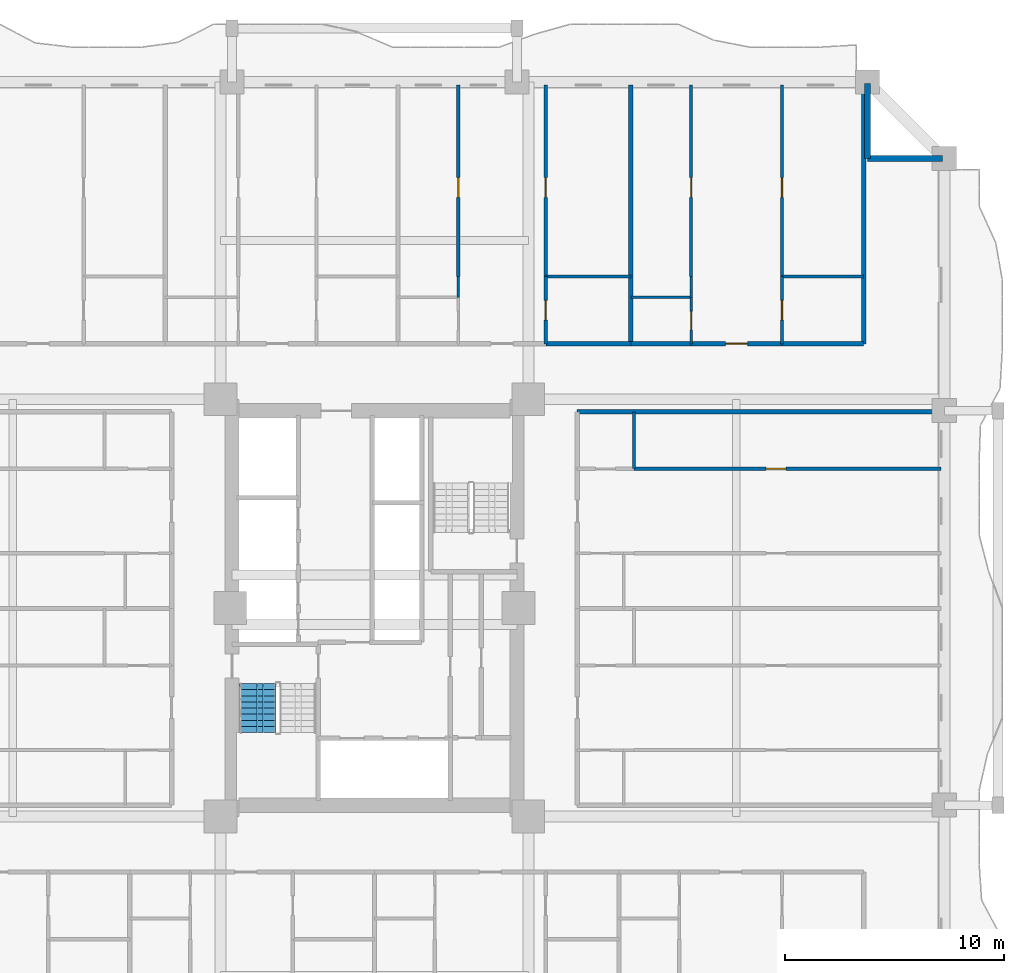
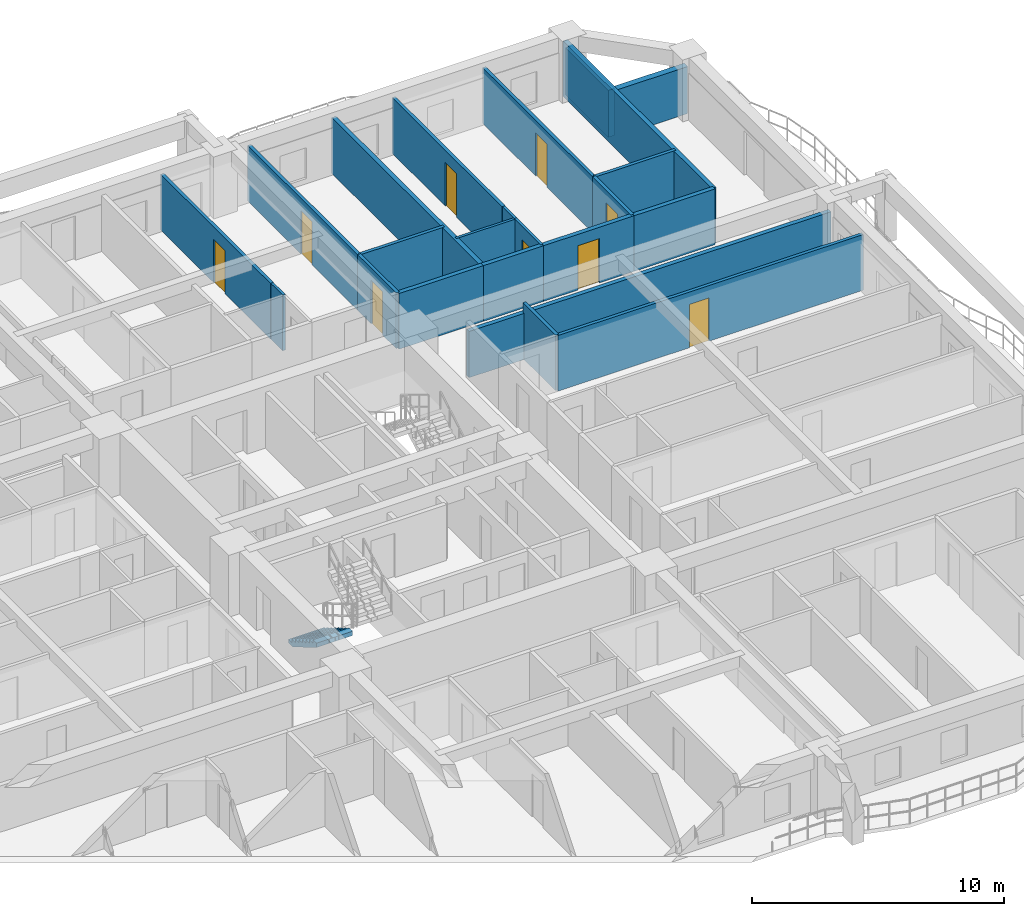
# One storey, part 8 of 15: 23 walls, 9 doors, 1 stair flight, 9 openings, 1 element without a shape of its own.
"""IFC4 building model written with IfcOpenShell, lengths in metres."""

from ifc_helpers import new_model, si_unit, direction, frame, frame_2d, origin, place, context, subcontext, project, spatial, polyline, rectangle, outline, extrude, source, transform, mapped, material, layer, layer_set, type_object, element, fill, aggregate, save


model = new_model("IFC4")

# Units and contexts
model_context = context("Model", 3, precision=1e-05, world=origin(), true_north=direction((0.0, 1.0)))
body_context = subcontext(model_context, "Body", "Model", "MODEL_VIEW")
ifc_project = project(units=[si_unit("LENGTHUNIT", "METRE"), si_unit("AREAUNIT", "SQUARE_METRE"), si_unit("VOLUMEUNIT", "CUBIC_METRE"), si_unit("PLANEANGLEUNIT", "RADIAN"), si_unit("MASSUNIT", "GRAM", prefix="KILO")], contexts=[model_context])

# Site, building, storey
site_placement = place(None, origin())
site = spatial("IfcSite", under=ifc_project, at=site_placement, CompositionType="ELEMENT")
building_placement = place(site_placement, origin())
building = spatial("IfcBuilding", under=site, at=building_placement, Name="Saelheon Loggia Tower", CompositionType="ELEMENT")
storey_placement = place(building_placement, frame((0.0, 0.0, 67.39990234375)))
storey = spatial("IfcBuildingStorey", under=building, at=storey_placement, Name="L21", CompositionType="ELEMENT", Elevation=67.39990234375)

# Walls
ifc_material_1 = material(Name="Architectural Precast Concrete C40/50", Category="concrete")
ifc_layer_1 = layer(ifc_material_1, 0.280029296875)
ifc_layer_set_1 = layer_set([ifc_layer_1], Name="Architectural Precast Concrete C40/50")
wall_type_1 = type_object("IfcWallType", Name="Wall_Ext_Loggia_280", PredefinedType="SOLIDWALL", material=ifc_layer_set_1)
for number, where, z_axis, x_axis, name in (
    (1, (60.5, 47.5, 0.0), (0.0, 0.0, 1.0), (0.0, 1.0, 0.0), "L21 Corner Notch Precast Wall NE1"),
    (2, (60.5, 47.5, 0.0), (0.0, 0.0, 1.0), (1.0, 0.0, 0.0), "L21 Corner Notch Precast Wall NE2"),
):
    element("IfcWall", number, at=place(storey_placement, frame(where, z_axis=z_axis, x_axis=x_axis)), inside=storey, type_object=wall_type_1, Name=name, PredefinedType="SOLIDWALL", context=body_context, shape_type="SweptSolid", body=[
        extrude(rectangle(XDim=3.419921875, YDim=0.280029296875, at=frame_2d((1.7099609375, 0.0))), origin(), (0.0, 0.0, 1.0), 2.280029296875),
    ])
ifc_material_2 = material(Name="Lightweight Autoclaved Aerated Concrete Block and Acoustic Gypsum", Category="concrete")
ifc_layer_2 = layer(ifc_material_2, 0.14990234375)
ifc_layer_set_2 = layer_set([ifc_layer_2], Name="Lightweight Autoclaved Aerated Concrete Block and Acoustic Gypsum")
wall_type_2 = type_object("IfcWallType", Name="Wall_Part_150", PredefinedType="PARTITIONING", material=ifc_layer_set_2)
wall_1_placement = place(storey_placement, frame((45.820068359375, 42.1201171875, 0.0), z_axis=(0.0, 0.0, 1.0), x_axis=(1.0, 0.0, 0.0)))
element("IfcWall", 3, at=wall_1_placement, inside=storey, type_object=wall_type_2, Name="L21 N Partition V31", PredefinedType="PARTITIONING", context=body_context, shape_type="SweptSolid", body=[
    extrude(rectangle(XDim=3.87744140625, YDim=0.14990234375, at=frame_2d((1.938720703125, 0.0))), origin(), (0.0, 0.0, 1.0), 2.7001953125),
])

# Wall, opening, door
wall_2_placement = place(storey_placement, frame((41.824951171875, 42.1201171875, 0.0), z_axis=(0.0, 0.0, 1.0), x_axis=(0.0, 1.0, 0.0)))
wall_2 = element("IfcWall", 4, at=wall_2_placement, inside=storey, type_object=wall_type_2, Name="L21 N Partition U34", PredefinedType="PARTITIONING", context=body_context, shape_type="SweptSolid", body=[
    extrude(rectangle(XDim=8.72998046875, YDim=0.14990234375, at=frame_2d((4.364990234375, 0.0))), origin(), (0.0, 0.0, 1.0), 2.7001953125),
])
opening_1_placement = place(wall_2_placement, frame((3.60888671875, 0.0, 0.0)))
opening_1 = element("IfcOpeningElement", 5, at=opening_1_placement, cuts=wall_2, Name="Opening D-IN2", PredefinedType="OPENING", context=body_context, shape_type="SweptSolid", body=[
    extrude(rectangle(XDim=0.89990234375, YDim=2.10009765625, at=frame_2d((0.449951171875, 1.050048828125))), frame((0.0, 0.0869140625, 0.0), z_axis=(0.0, -1.0, 0.0), x_axis=(1.0, 0.0, 0.0)), (0.0, 0.0, 1.0), 0.173828125),
])
ifc_material_3 = material(Name="Engineered Oak Flush Door", Category="timber")
door_type_1 = type_object("IfcDoorType", Name="Door_Int_900", OperationType="NOTDEFINED", PredefinedType="DOOR", material=ifc_material_3)
shared_shape_1 = source(origin(), body_context, "Body", "SweptSolid", [
    extrude(rectangle(XDim=0.89990234375, YDim=2.10009765625, at=frame_2d((0.449951171875, 1.050048828125))), frame((0.0, 0.02490234375, 0.0), z_axis=(0.0, -1.0, 0.0), x_axis=(1.0, 0.0, 0.0)), (0.0, 0.0, 1.0), 0.050048828125),
])
door_1_placement = place(opening_1_placement, origin())
door_1 = element("IfcDoor", 6, at=door_1_placement, inside=storey, type_object=door_type_1, Name="Unit U07 Kitchen Door", OperationType="SINGLE_SWING_LEFT", OverallHeight=2.10009765625, OverallWidth=0.89990234375, PredefinedType="DOOR", context=body_context, shape_type="MappedRepresentation", body=[
    mapped(shared_shape_1, transform((0.0, 0.0, 0.0), scale=1.0)),
])
fill(opening_1, door_1)

wall_3_placement = place(storey_placement, frame((45.820068359375, 39.050048828125, 0.0), z_axis=(0.0, 0.0, 1.0), x_axis=(0.0, 1.0, 0.0)))
wall_3 = element("IfcWall", 7, at=wall_3_placement, inside=storey, type_object=wall_type_2, Name="L21 N Partition U35", PredefinedType="PARTITIONING", context=body_context, shape_type="SweptSolid", body=[
    extrude(rectangle(XDim=3.070068359375, YDim=0.14990234375, at=frame_2d((1.53515625, 0.0))), origin(), (0.0, 0.0, 1.0), 2.7001953125),
])
opening_2_placement = place(wall_3_placement, frame((1.0849609375, 0.0, 0.0)))
opening_2 = element("IfcOpeningElement", 8, at=opening_2_placement, cuts=wall_3, Name="Opening D-IN2", PredefinedType="OPENING", context=body_context, shape_type="SweptSolid", body=[
    extrude(rectangle(XDim=0.89990234375, YDim=2.10009765625, at=frame_2d((0.449951171875, 1.050048828125))), frame((0.0, 0.0869140625, 0.0), z_axis=(0.0, -1.0, 0.0), x_axis=(1.0, 0.0, 0.0)), (0.0, 0.0, 1.0), 0.173828125),
])
door_2_placement = place(opening_2_placement, origin())
door_2 = element("IfcDoor", 9, at=door_2_placement, inside=storey, type_object=door_type_1, Name="Unit U07 Dressing Closet Door", OperationType="SINGLE_SWING_RIGHT", OverallHeight=2.10009765625, OverallWidth=0.89990234375, PredefinedType="DOOR", context=body_context, shape_type="MappedRepresentation", body=[
    mapped(shared_shape_1, transform((0.0, 0.0, 0.0), scale=1.0)),
])
fill(opening_2, door_2)

wall_4_placement = place(storey_placement, frame((45.820068359375, 42.1201171875, 0.0), z_axis=(0.0, 0.0, 1.0), x_axis=(0.0, 1.0, 0.0)))
wall_4 = element("IfcWall", 10, at=wall_4_placement, inside=storey, type_object=wall_type_2, Name="L21 N Partition U36", PredefinedType="PARTITIONING", context=body_context, shape_type="SweptSolid", body=[
    extrude(rectangle(XDim=8.72998046875, YDim=0.14990234375, at=frame_2d((4.364990234375, 0.0))), origin(), (0.0, 0.0, 1.0), 2.7001953125),
])
opening_3_placement = place(wall_4_placement, frame((3.60888671875, 0.0, 0.0)))
opening_3 = element("IfcOpeningElement", 11, at=opening_3_placement, cuts=wall_4, Name="Opening D-IN2", PredefinedType="OPENING", context=body_context, shape_type="SweptSolid", body=[
    extrude(rectangle(XDim=0.89990234375, YDim=2.10009765625, at=frame_2d((0.449951171875, 1.050048828125))), frame((0.0, 0.0869140625, 0.0), z_axis=(0.0, -1.0, 0.0), x_axis=(1.0, 0.0, 0.0)), (0.0, 0.0, 1.0), 0.173828125),
])
door_3_placement = place(opening_3_placement, origin())
door_3 = element("IfcDoor", 12, at=door_3_placement, inside=storey, type_object=door_type_1, Name="Unit U07 Bedroom 1 Door", OperationType="SINGLE_SWING_LEFT", OverallHeight=2.10009765625, OverallWidth=0.89990234375, PredefinedType="DOOR", context=body_context, shape_type="MappedRepresentation", body=[
    mapped(shared_shape_1, transform((0.0, 0.0, 0.0), scale=1.0)),
])
fill(opening_3, door_3)

# Wall
wall_5_placement = place(storey_placement, frame((56.59716796875, 42.1201171875, 0.0), z_axis=(0.0, 0.0, 1.0), x_axis=(1.0, 0.0, 0.0)))
element("IfcWall", 13, at=wall_5_placement, inside=storey, type_object=wall_type_2, Name="L21 N Partition V42", PredefinedType="PARTITIONING", context=body_context, shape_type="SweptSolid", body=[
    extrude(rectangle(XDim=3.722900390625, YDim=0.14990234375, at=frame_2d((1.861328125, 0.0))), origin(), (0.0, 0.0, 1.0), 2.7001953125),
])

# Wall, opening, door
wall_6_placement = place(storey_placement, frame((52.447509765625, 42.1201171875, 0.0), z_axis=(0.0, 0.0, 1.0), x_axis=(0.0, 1.0, 0.0)))
wall_6 = element("IfcWall", 14, at=wall_6_placement, inside=storey, type_object=wall_type_2, Name="L21 N Partition U45", PredefinedType="PARTITIONING", context=body_context, shape_type="SweptSolid", body=[
    extrude(rectangle(XDim=8.72998046875, YDim=0.14990234375, at=frame_2d((4.364990234375, 0.0))), origin(), (0.0, 0.0, 1.0), 2.7001953125),
])
opening_4_placement = place(wall_6_placement, frame((3.60888671875, 0.0, 0.0)))
opening_4 = element("IfcOpeningElement", 15, at=opening_4_placement, cuts=wall_6, Name="Opening D-IN2", PredefinedType="OPENING", context=body_context, shape_type="SweptSolid", body=[
    extrude(rectangle(XDim=0.89990234375, YDim=2.10009765625, at=frame_2d((0.449951171875, 1.050048828125))), frame((0.0, 0.0869140625, 0.0), z_axis=(0.0, -1.0, 0.0), x_axis=(1.0, 0.0, 0.0)), (0.0, 0.0, 1.0), 0.173828125),
])
door_4_placement = place(opening_4_placement, origin())
door_4 = element("IfcDoor", 16, at=door_4_placement, inside=storey, type_object=door_type_1, Name="Unit U08 Kitchen Door", OperationType="SINGLE_SWING_RIGHT", OverallHeight=2.10009765625, OverallWidth=0.89990234375, PredefinedType="DOOR", context=body_context, shape_type="MappedRepresentation", body=[
    mapped(shared_shape_1, transform((0.0, 0.0, 0.0), scale=1.0)),
])
fill(opening_4, door_4)

wall_7_placement = place(storey_placement, frame((56.59716796875, 39.050048828125, 0.0), z_axis=(0.0, 0.0, 1.0), x_axis=(0.0, 1.0, 0.0)))
wall_7 = element("IfcWall", 17, at=wall_7_placement, inside=storey, type_object=wall_type_2, Name="L21 N Partition U46", PredefinedType="PARTITIONING", context=body_context, shape_type="SweptSolid", body=[
    extrude(rectangle(XDim=3.070068359375, YDim=0.14990234375, at=frame_2d((1.53515625, 0.0))), origin(), (0.0, 0.0, 1.0), 2.7001953125),
])
opening_5_placement = place(wall_7_placement, frame((1.0849609375, 0.0, 0.0)))
opening_5 = element("IfcOpeningElement", 18, at=opening_5_placement, cuts=wall_7, Name="Opening D-IN2", PredefinedType="OPENING", context=body_context, shape_type="SweptSolid", body=[
    extrude(rectangle(XDim=0.89990234375, YDim=2.10009765625, at=frame_2d((0.449951171875, 1.050048828125))), frame((0.0, 0.0869140625, 0.0), z_axis=(0.0, -1.0, 0.0), x_axis=(1.0, 0.0, 0.0)), (0.0, 0.0, 1.0), 0.173828125),
])
door_5_placement = place(opening_5_placement, origin())
door_5 = element("IfcDoor", 19, at=door_5_placement, inside=storey, type_object=door_type_1, Name="Unit U08 Dressing Closet Door", OperationType="SINGLE_SWING_LEFT", OverallHeight=2.10009765625, OverallWidth=0.89990234375, PredefinedType="DOOR", context=body_context, shape_type="MappedRepresentation", body=[
    mapped(shared_shape_1, transform((0.0, 0.0, 0.0), scale=1.0)),
])
fill(opening_5, door_5)

wall_8_placement = place(storey_placement, frame((56.59716796875, 42.1201171875, 0.0), z_axis=(0.0, 0.0, 1.0), x_axis=(0.0, 1.0, 0.0)))
wall_8 = element("IfcWall", 20, at=wall_8_placement, inside=storey, type_object=wall_type_2, Name="L21 N Partition U47", PredefinedType="PARTITIONING", context=body_context, shape_type="SweptSolid", body=[
    extrude(rectangle(XDim=8.72998046875, YDim=0.14990234375, at=frame_2d((4.364990234375, 0.0))), origin(), (0.0, 0.0, 1.0), 2.7001953125),
])
opening_6_placement = place(wall_8_placement, frame((3.60888671875, 0.0, 0.0)))
opening_6 = element("IfcOpeningElement", 21, at=opening_6_placement, cuts=wall_8, Name="Opening D-IN2", PredefinedType="OPENING", context=body_context, shape_type="SweptSolid", body=[
    extrude(rectangle(XDim=0.89990234375, YDim=2.10009765625, at=frame_2d((0.449951171875, 1.050048828125))), frame((0.0, 0.0869140625, 0.0), z_axis=(0.0, -1.0, 0.0), x_axis=(1.0, 0.0, 0.0)), (0.0, 0.0, 1.0), 0.173828125),
])
door_6_placement = place(opening_6_placement, origin())
door_6 = element("IfcDoor", 22, at=door_6_placement, inside=storey, type_object=door_type_1, Name="Unit U08 Bedroom 1 Door", OperationType="SINGLE_SWING_RIGHT", OverallHeight=2.10009765625, OverallWidth=0.89990234375, PredefinedType="DOOR", context=body_context, shape_type="MappedRepresentation", body=[
    mapped(shared_shape_1, transform((0.0, 0.0, 0.0), scale=1.0)),
])
fill(opening_6, door_6)

# Wall
wall_9_placement = place(storey_placement, frame((49.840087890625, 33.35009765625, 0.0), z_axis=(0.0, 0.0, 1.0), x_axis=(0.0, 1.0, 0.0)))
element("IfcWall", 23, at=wall_9_placement, inside=storey, type_object=wall_type_2, Name="L21 E Partition V18", PredefinedType="PARTITIONING", context=body_context, shape_type="SweptSolid", body=[
    extrude(rectangle(XDim=2.599853515625, YDim=0.14990234375, at=frame_2d((1.2998046875, 0.0))), origin(), (0.0, 0.0, 1.0), 2.7001953125),
])

# Wall, opening, door
wall_10_placement = place(storey_placement, frame((49.840087890625, 33.35009765625, 0.0), z_axis=(0.0, 0.0, 1.0), x_axis=(1.0, 0.0, 0.0)))
wall_10 = element("IfcWall", 24, at=wall_10_placement, inside=storey, type_object=wall_type_2, Name="L21 E Partition U23", PredefinedType="PARTITIONING", context=body_context, shape_type="SweptSolid", body=[
    extrude(rectangle(XDim=14.010009765625, YDim=0.14990234375, at=frame_2d((7.0048828125, 0.0))), origin(), (0.0, 0.0, 1.0), 2.7001953125),
])
opening_7_placement = place(wall_10_placement, frame((6.02880859375, 0.0, 0.0)))
opening_7 = element("IfcOpeningElement", 25, at=opening_7_placement, cuts=wall_10, Name="Opening D-IN2", PredefinedType="OPENING", context=body_context, shape_type="SweptSolid", body=[
    extrude(rectangle(XDim=0.89990234375, YDim=2.10009765625, at=frame_2d((0.449951171875, 1.050048828125))), frame((0.0, 0.0869140625, 0.0), z_axis=(0.0, -1.0, 0.0), x_axis=(1.0, 0.0, 0.0)), (0.0, 0.0, 1.0), 0.173828125),
])
door_7_placement = place(opening_7_placement, origin())
door_7 = element("IfcDoor", 26, at=door_7_placement, inside=storey, type_object=door_type_1, Name="Unit U12 Bedroom 1 Door", OperationType="SINGLE_SWING_RIGHT", OverallHeight=2.10009765625, OverallWidth=0.89990234375, PredefinedType="DOOR", context=body_context, shape_type="MappedRepresentation", body=[
    mapped(shared_shape_1, transform((0.0, 0.0, 0.0), scale=1.0)),
])
fill(opening_7, door_7)

# Walls
ifc_material_4 = material(Name="Double Acoustic Stud and Fireboard Partition", Category="gypsum")
ifc_layer_3 = layer(ifc_material_4, 0.199951171875)
ifc_layer_set_3 = layer_set([ifc_layer_3], Name="Double Acoustic Stud and Fireboard Partition")
wall_type_3 = type_object("IfcWallType", Name="Wall_Party_200", PredefinedType="PARTITIONING", material=ifc_layer_set_3)
wall_11_placement = place(storey_placement, frame((60.320068359375, 39.050048828125, 0.0), z_axis=(0.0, 0.0, 1.0), x_axis=(0.0, 1.0, 0.0)))
element("IfcWall", 27, at=wall_11_placement, inside=storey, type_object=wall_type_3, Name="L21 N Partition U02", PredefinedType="PARTITIONING", context=body_context, shape_type="SweptSolid", body=[
    extrude(rectangle(XDim=11.800048828125, YDim=0.199951171875, at=frame_2d((5.89990234375, 0.0))), origin(), (0.0, 0.0, 1.0), 2.7001953125),
])
wall_12_placement = place(storey_placement, frame((45.820068359375, 39.050048828125, 0.0), z_axis=(0.0, 0.0, 1.0), x_axis=(1.0, 0.0, 0.0)))
element("IfcWall", 28, at=wall_12_placement, inside=storey, type_object=wall_type_3, Name="L21 N Partition V29", PredefinedType="PARTITIONING", context=body_context, shape_type="SweptSolid", body=[
    extrude(rectangle(XDim=3.87744140625, YDim=0.199951171875, at=frame_2d((1.938720703125, 0.0))), origin(), (0.0, 0.0, 1.0), 2.7001953125),
])
wall_13_placement = place(storey_placement, frame((49.697509765625, 39.050048828125, 0.0), z_axis=(0.0, 0.0, 1.0), x_axis=(0.0, 1.0, 0.0)))
element("IfcWall", 29, at=wall_13_placement, inside=storey, type_object=wall_type_3, Name="L21 N Partition U37", PredefinedType="PARTITIONING", context=body_context, shape_type="SweptSolid", body=[
    extrude(rectangle(XDim=11.800048828125, YDim=0.199951171875, at=frame_2d((5.89990234375, 0.0))), origin(), (0.0, 0.0, 1.0), 2.7001953125),
])
wall_14_placement = place(storey_placement, frame((49.697509765625, 39.050048828125, 0.0), z_axis=(0.0, 0.0, 1.0), x_axis=(1.0, 0.0, 0.0)))
element("IfcWall", 30, at=wall_14_placement, inside=storey, type_object=wall_type_3, Name="L21 N Partition V38", PredefinedType="PARTITIONING", context=body_context, shape_type="SweptSolid", body=[
    extrude(rectangle(XDim=2.75, YDim=0.199951171875, at=frame_2d((1.375, 0.0))), origin(), (0.0, 0.0, 1.0), 2.7001953125),
])

# Wall, opening, door
wall_15_placement = place(storey_placement, frame((52.447509765625, 39.050048828125, 0.0), z_axis=(0.0, 0.0, 1.0), x_axis=(1.0, 0.0, 0.0)))
wall_15 = element("IfcWall", 31, at=wall_15_placement, inside=storey, type_object=wall_type_3, Name="L21 N Partition V39", PredefinedType="PARTITIONING", context=body_context, shape_type="SweptSolid", body=[
    extrude(rectangle(XDim=4.149658203125, YDim=0.199951171875, at=frame_2d((2.07470703125, 0.0))), origin(), (0.0, 0.0, 1.0), 2.7001953125),
])
opening_8_placement = place(wall_15_placement, frame((1.574951171875, 0.0, 0.0)))
opening_8 = element("IfcOpeningElement", 32, at=opening_8_placement, cuts=wall_15, Name="Opening D-FD1", PredefinedType="OPENING", context=body_context, shape_type="SweptSolid", body=[
    extrude(rectangle(XDim=1.0, YDim=2.14990234375, at=frame_2d((0.5, 1.074951171875))), frame((0.0, 0.112060546875, 0.0), z_axis=(0.0, -1.0, 0.0), x_axis=(1.0, 0.0, 0.0)), (0.0, 0.0, 1.0), 0.223876953125),
])
ifc_material_5 = material(Name="Fire-Rated Engineered Timber Entrance Door", Category="wood")
door_type_2 = type_object("IfcDoorType", Name="Door_Flat_FD30S", OperationType="NOTDEFINED", PredefinedType="DOOR", material=ifc_material_5)
shared_shape_2 = source(origin(), body_context, "Body", "SweptSolid", [
    extrude(rectangle(XDim=1.0, YDim=2.14990234375, at=frame_2d((0.5, 1.074951171875))), frame((0.0, 0.02490234375, 0.0), z_axis=(0.0, -1.0, 0.0), x_axis=(1.0, 0.0, 0.0)), (0.0, 0.0, 1.0), 0.050048828125),
])
door_8_placement = place(opening_8_placement, origin())
door_8 = element("IfcDoor", 33, at=door_8_placement, inside=storey, type_object=door_type_2, Name="Unit U08 Entrance Door", OperationType="SINGLE_SWING_RIGHT", OverallHeight=2.14990234375, OverallWidth=1.0, PredefinedType="DOOR", context=body_context, shape_type="MappedRepresentation", body=[
    mapped(shared_shape_2, transform((0.0, 0.0, 0.0), scale=1.0)),
])
fill(opening_8, door_8)

# Walls
wall_16_placement = place(storey_placement, frame((56.59716796875, 39.050048828125, 0.0), z_axis=(0.0, 0.0, 1.0), x_axis=(1.0, 0.0, 0.0)))
element("IfcWall", 34, at=wall_16_placement, inside=storey, type_object=wall_type_3, Name="L21 N Partition V40", PredefinedType="PARTITIONING", context=body_context, shape_type="SweptSolid", body=[
    extrude(rectangle(XDim=3.722900390625, YDim=0.199951171875, at=frame_2d((1.861328125, 0.0))), origin(), (0.0, 0.0, 1.0), 2.7001953125),
])
wall_17_placement = place(storey_placement, frame((47.25, 35.949951171875, 0.0), z_axis=(0.0, 0.0, 1.0), x_axis=(1.0, 0.0, 0.0)))
element("IfcWall", 35, at=wall_17_placement, inside=storey, type_object=wall_type_3, Name="L21 E Partition U02", PredefinedType="PARTITIONING", context=body_context, shape_type="SweptSolid", body=[
    extrude(rectangle(XDim=16.60009765625, YDim=0.199951171875, at=frame_2d((8.300048828125, 0.0))), origin(), (0.0, 0.0, 1.0), 2.239990234375),
])
ifc_material_6 = material(Name="Moisture-Resistant Cement Board Partition", Category="gypsum")
ifc_layer_4 = layer(ifc_material_6, 0.1201171875)
ifc_layer_set_4 = layer_set([ifc_layer_4], Name="Moisture-Resistant Cement Board Partition")
wall_type_4 = type_object("IfcWallType", Name="Wall_WetPart_120", PredefinedType="PARTITIONING", material=ifc_layer_set_4)
wall_18_placement = place(storey_placement, frame((41.824951171875, 41.169921875, 0.0), z_axis=(0.0, 0.0, 1.0), x_axis=(0.0, 1.0, 0.0)))
element("IfcWall", 36, at=wall_18_placement, inside=storey, type_object=wall_type_4, Name="L21 N Partition U33", PredefinedType="PARTITIONING", context=body_context, shape_type="SweptSolid", body=[
    extrude(rectangle(XDim=0.9501953125, YDim=0.1201171875, at=frame_2d((0.47509765625, 0.0))), origin(), (0.0, 0.0, 1.0), 2.7001953125),
])
wall_19_placement = place(storey_placement, frame((49.697509765625, 41.169921875, 0.0), z_axis=(0.0, 0.0, 1.0), x_axis=(1.0, 0.0, 0.0)))
element("IfcWall", 37, at=wall_19_placement, inside=storey, type_object=wall_type_4, Name="L21 N Partition V41", PredefinedType="PARTITIONING", context=body_context, shape_type="SweptSolid", body=[
    extrude(rectangle(XDim=2.75, YDim=0.1201171875, at=frame_2d((1.375, 0.0))), origin(), (0.0, 0.0, 1.0), 2.7001953125),
])

# Wall, opening, door
wall_20_placement = place(storey_placement, frame((52.447509765625, 39.050048828125, 0.0), z_axis=(0.0, 0.0, 1.0), x_axis=(0.0, 1.0, 0.0)))
wall_20 = element("IfcWall", 38, at=wall_20_placement, inside=storey, type_object=wall_type_4, Name="L21 N Partition U43", PredefinedType="PARTITIONING", context=body_context, shape_type="SweptSolid", body=[
    extrude(rectangle(XDim=2.119873046875, YDim=0.1201171875, at=frame_2d((1.06005859375, 0.0))), origin(), (0.0, 0.0, 1.0), 2.7001953125),
])
opening_9_placement = place(wall_20_placement, frame((0.635009765625, 0.0, 0.0)))
opening_9 = element("IfcOpeningElement", 39, at=opening_9_placement, cuts=wall_20, Name="Opening D-BT1", PredefinedType="OPENING", context=body_context, shape_type="SweptSolid", body=[
    extrude(rectangle(XDim=0.85009765625, YDim=2.050048828125, at=frame_2d((0.425048828125, 1.02490234375))), frame((0.0, 0.072021484375, 0.0), z_axis=(0.0, -1.0, 0.0), x_axis=(1.0, 0.0, 0.0)), (0.0, 0.0, 1.0), 0.14404296875),
])
ifc_material_7 = material(Name="Moisture-Resistant Laminate Timber Door", Category="wood")
door_type_3 = type_object("IfcDoorType", Name="Door_Bath_850", OperationType="NOTDEFINED", PredefinedType="DOOR", material=ifc_material_7)
shared_shape_3 = source(origin(), body_context, "Body", "SweptSolid", [
    extrude(rectangle(XDim=0.85009765625, YDim=2.050048828125, at=frame_2d((0.425048828125, 1.02490234375))), frame((0.0, 0.02490234375, 0.0), z_axis=(0.0, -1.0, 0.0), x_axis=(1.0, 0.0, 0.0)), (0.0, 0.0, 1.0), 0.050048828125),
])
door_9_placement = place(opening_9_placement, origin())
door_9 = element("IfcDoor", 40, at=door_9_placement, inside=storey, type_object=door_type_3, Name="Unit U08 Bathroom Door", OperationType="SINGLE_SWING_LEFT", OverallHeight=2.050048828125, OverallWidth=0.85009765625, PredefinedType="DOOR", context=body_context, shape_type="MappedRepresentation", body=[
    mapped(shared_shape_3, transform((0.0, 0.0, 0.0), scale=1.0)),
])
fill(opening_9, door_9)

# Wall
wall_21_placement = place(storey_placement, frame((52.447509765625, 41.169921875, 0.0), z_axis=(0.0, 0.0, 1.0), x_axis=(0.0, 1.0, 0.0)))
element("IfcWall", 41, at=wall_21_placement, inside=storey, type_object=wall_type_4, Name="L21 N Partition U44", PredefinedType="PARTITIONING", context=body_context, shape_type="SweptSolid", body=[
    extrude(rectangle(XDim=0.9501953125, YDim=0.1201171875, at=frame_2d((0.47509765625, 0.0))), origin(), (0.0, 0.0, 1.0), 2.7001953125),
])

# Stair, stair flight
ifc_material_8 = material(Name="Concrete C40/50", Category="concrete")
stair_type = type_object("IfcStairType", Name="Stair_Escape_Core", PredefinedType="HALF_TURN_STAIR", material=ifc_material_8)
stair_placement = place(storey_placement, origin())
stair = element("IfcStair", 42, at=stair_placement, inside=storey, type_object=stair_type, Name="L21 Special Escape Stair ST1", PredefinedType="HALF_TURN_STAIR")
stair_flight_type = type_object("IfcStairFlightType", Name="StairFlight_Tower_1660", PredefinedType="STRAIGHT", material=ifc_material_8)
stair_flight_placement = place(storey_placement, frame((32.679931640625, 23.550048828125, 0.0), z_axis=(0.0, 0.0, 1.0), x_axis=(0.0, -1.0, 0.0)))
stair_flight = element("IfcStairFlight", 43, at=stair_flight_placement, type_object=stair_flight_type, Name="ST1 flight 1", NumberOfRisers=9, NumberOfTreads=8, PredefinedType="STRAIGHT", RiserHeight=0.166666667, TreadLength=0.28, context=body_context, shape_type="SweptSolid", body=[
    extrude(outline(polyline([(0.0, 0.0), (0.0, 0.166748046875), (0.280029296875, 0.166748046875), (0.280029296875, 0.333251953125), (0.56005859375, 0.333251953125), (0.56005859375, 0.5), (0.840087890625, 0.5), (0.840087890625, 0.666748046875), (1.1201171875, 0.666748046875), (1.1201171875, 0.833251953125), (1.39990234375, 0.833251953125), (1.39990234375, 1.0), (1.679931640625, 1.0), (1.679931640625, 1.166748046875), (1.9599609375, 1.166748046875), (1.9599609375, 1.333251953125), (2.239990234375, 1.333251953125), (2.239990234375, 1.5), (2.239990234375, 1.1240234375), (0.351806640625, 0.0), (0.0, 0.0)])), frame((0.0, -0.2490234375, 0.0), z_axis=(0.0, -1.0, 0.0), x_axis=(1.0, 0.0, 0.0)), (0.0, 0.0, 1.0), 0.5810546875),
    extrude(outline(polyline([(0.0, 0.0), (0.0, 0.166748046875), (0.280029296875, 0.166748046875), (0.280029296875, 0.333251953125), (0.56005859375, 0.333251953125), (0.56005859375, 0.5), (0.840087890625, 0.5), (0.840087890625, 0.666748046875), (1.1201171875, 0.666748046875), (1.1201171875, 0.833251953125), (1.39990234375, 0.833251953125), (1.39990234375, 1.0), (1.679931640625, 1.0), (1.679931640625, 1.166748046875), (1.9599609375, 1.166748046875), (1.9599609375, 1.333251953125), (2.239990234375, 1.333251953125), (2.239990234375, 1.5), (2.239990234375, 1.1240234375), (0.351806640625, 0.0), (0.0, 0.0)])), frame((0.0, -0.194091796875, 0.0), z_axis=(0.0, -1.0, 0.0), x_axis=(1.0, 0.0, 0.0)), (0.0, 0.0, 1.0), 0.0498046875),
    extrude(outline(polyline([(0.0, 0.0), (0.0, 0.166748046875), (0.280029296875, 0.166748046875), (0.280029296875, 0.333251953125), (0.56005859375, 0.333251953125), (0.56005859375, 0.5), (0.840087890625, 0.5), (0.840087890625, 0.666748046875), (1.1201171875, 0.666748046875), (1.1201171875, 0.833251953125), (1.39990234375, 0.833251953125), (1.39990234375, 1.0), (1.679931640625, 1.0), (1.679931640625, 1.166748046875), (1.9599609375, 1.166748046875), (1.9599609375, 1.333251953125), (2.239990234375, 1.333251953125), (2.239990234375, 1.5), (2.239990234375, 1.1240234375), (0.351806640625, 0.0), (0.0, 0.0)])), frame((0.0, -0.139404296875, 0.0), z_axis=(0.0, -1.0, 0.0), x_axis=(1.0, 0.0, 0.0)), (0.0, 0.0, 1.0), 0.0498046875),
    extrude(outline(polyline([(0.0, 0.0), (0.0, 0.166748046875), (0.280029296875, 0.166748046875), (0.280029296875, 0.333251953125), (0.56005859375, 0.333251953125), (0.56005859375, 0.5), (0.840087890625, 0.5), (0.840087890625, 0.666748046875), (1.1201171875, 0.666748046875), (1.1201171875, 0.833251953125), (1.39990234375, 0.833251953125), (1.39990234375, 1.0), (1.679931640625, 1.0), (1.679931640625, 1.166748046875), (1.9599609375, 1.166748046875), (1.9599609375, 1.333251953125), (2.239990234375, 1.333251953125), (2.239990234375, 1.5), (2.239990234375, 1.1240234375), (0.351806640625, 0.0), (0.0, 0.0)])), frame((0.0, -0.084716796875, 0.0), z_axis=(0.0, -1.0, 0.0), x_axis=(1.0, 0.0, 0.0)), (0.0, 0.0, 1.0), 0.0498046875),
    extrude(outline(polyline([(0.0, 0.0), (0.0, 0.166748046875), (0.280029296875, 0.166748046875), (0.280029296875, 0.333251953125), (0.56005859375, 0.333251953125), (0.56005859375, 0.5), (0.840087890625, 0.5), (0.840087890625, 0.666748046875), (1.1201171875, 0.666748046875), (1.1201171875, 0.833251953125), (1.39990234375, 0.833251953125), (1.39990234375, 1.0), (1.679931640625, 1.0), (1.679931640625, 1.166748046875), (1.9599609375, 1.166748046875), (1.9599609375, 1.333251953125), (2.239990234375, 1.333251953125), (2.239990234375, 1.5), (2.239990234375, 1.1240234375), (0.351806640625, 0.0), (0.0, 0.0)])), frame((0.0, -0.02978515625, 0.0), z_axis=(0.0, -1.0, 0.0), x_axis=(1.0, 0.0, 0.0)), (0.0, 0.0, 1.0), 0.0498046875),
    extrude(outline(polyline([(0.0, 0.0), (0.0, 0.166748046875), (0.280029296875, 0.166748046875), (0.280029296875, 0.333251953125), (0.56005859375, 0.333251953125), (0.56005859375, 0.5), (0.840087890625, 0.5), (0.840087890625, 0.666748046875), (1.1201171875, 0.666748046875), (1.1201171875, 0.833251953125), (1.39990234375, 0.833251953125), (1.39990234375, 1.0), (1.679931640625, 1.0), (1.679931640625, 1.166748046875), (1.9599609375, 1.166748046875), (1.9599609375, 1.333251953125), (2.239990234375, 1.333251953125), (2.239990234375, 1.5), (2.239990234375, 1.1240234375), (0.351806640625, 0.0), (0.0, 0.0)])), frame((0.0, 0.02490234375, 0.0), z_axis=(0.0, -1.0, 0.0), x_axis=(1.0, 0.0, 0.0)), (0.0, 0.0, 1.0), 0.0498046875),
    extrude(outline(polyline([(0.0, 0.0), (0.0, 0.166748046875), (0.280029296875, 0.166748046875), (0.280029296875, 0.333251953125), (0.56005859375, 0.333251953125), (0.56005859375, 0.5), (0.840087890625, 0.5), (0.840087890625, 0.666748046875), (1.1201171875, 0.666748046875), (1.1201171875, 0.833251953125), (1.39990234375, 0.833251953125), (1.39990234375, 1.0), (1.679931640625, 1.0), (1.679931640625, 1.166748046875), (1.9599609375, 1.166748046875), (1.9599609375, 1.333251953125), (2.239990234375, 1.333251953125), (2.239990234375, 1.5), (2.239990234375, 1.1240234375), (0.351806640625, 0.0), (0.0, 0.0)])), frame((0.0, 0.07958984375, 0.0), z_axis=(0.0, -1.0, 0.0), x_axis=(1.0, 0.0, 0.0)), (0.0, 0.0, 1.0), 0.0498046875),
    extrude(outline(polyline([(0.0, 0.0), (0.0, 0.166748046875), (0.280029296875, 0.166748046875), (0.280029296875, 0.333251953125), (0.56005859375, 0.333251953125), (0.56005859375, 0.5), (0.840087890625, 0.5), (0.840087890625, 0.666748046875), (1.1201171875, 0.666748046875), (1.1201171875, 0.833251953125), (1.39990234375, 0.833251953125), (1.39990234375, 1.0), (1.679931640625, 1.0), (1.679931640625, 1.166748046875), (1.9599609375, 1.166748046875), (1.9599609375, 1.333251953125), (2.239990234375, 1.333251953125), (2.239990234375, 1.5), (2.239990234375, 1.1240234375), (0.351806640625, 0.0), (0.0, 0.0)])), frame((0.0, 0.134521484375, 0.0), z_axis=(0.0, -1.0, 0.0), x_axis=(1.0, 0.0, 0.0)), (0.0, 0.0, 1.0), 0.0498046875),
    extrude(outline(polyline([(0.0, 0.0), (0.0, 0.166748046875), (0.280029296875, 0.166748046875), (0.280029296875, 0.333251953125), (0.56005859375, 0.333251953125), (0.56005859375, 0.5), (0.840087890625, 0.5), (0.840087890625, 0.666748046875), (1.1201171875, 0.666748046875), (1.1201171875, 0.833251953125), (1.39990234375, 0.833251953125), (1.39990234375, 1.0), (1.679931640625, 1.0), (1.679931640625, 1.166748046875), (1.9599609375, 1.166748046875), (1.9599609375, 1.333251953125), (2.239990234375, 1.333251953125), (2.239990234375, 1.5), (2.239990234375, 1.1240234375), (0.351806640625, 0.0), (0.0, 0.0)])), frame((0.0, 0.189208984375, 0.0), z_axis=(0.0, -1.0, 0.0), x_axis=(1.0, 0.0, 0.0)), (0.0, 0.0, 1.0), 0.0498046875),
    extrude(outline(polyline([(0.0, 0.0), (0.0, 0.166748046875), (0.280029296875, 0.166748046875), (0.280029296875, 0.333251953125), (0.56005859375, 0.333251953125), (0.56005859375, 0.5), (0.840087890625, 0.5), (0.840087890625, 0.666748046875), (1.1201171875, 0.666748046875), (1.1201171875, 0.833251953125), (1.39990234375, 0.833251953125), (1.39990234375, 1.0), (1.679931640625, 1.0), (1.679931640625, 1.166748046875), (1.9599609375, 1.166748046875), (1.9599609375, 1.333251953125), (2.239990234375, 1.333251953125), (2.239990234375, 1.5), (2.239990234375, 1.1240234375), (0.351806640625, 0.0), (0.0, 0.0)])), frame((0.0, 0.243896484375, 0.0), z_axis=(0.0, -1.0, 0.0), x_axis=(1.0, 0.0, 0.0)), (0.0, 0.0, 1.0), 0.0498046875),
    extrude(outline(polyline([(0.0, 0.0), (0.0, 0.166748046875), (0.280029296875, 0.166748046875), (0.280029296875, 0.333251953125), (0.56005859375, 0.333251953125), (0.56005859375, 0.5), (0.840087890625, 0.5), (0.840087890625, 0.666748046875), (1.1201171875, 0.666748046875), (1.1201171875, 0.833251953125), (1.39990234375, 0.833251953125), (1.39990234375, 1.0), (1.679931640625, 1.0), (1.679931640625, 1.166748046875), (1.9599609375, 1.166748046875), (1.9599609375, 1.333251953125), (2.239990234375, 1.333251953125), (2.239990234375, 1.5), (2.239990234375, 1.1240234375), (0.351806640625, 0.0), (0.0, 0.0)])), frame((0.0, 0.830078125, 0.0), z_axis=(0.0, -1.0, 0.0), x_axis=(1.0, 0.0, 0.0)), (0.0, 0.0, 1.0), 0.5810546875),
])
aggregate(stair, [stair_flight])

save(model, "model.ifc")
